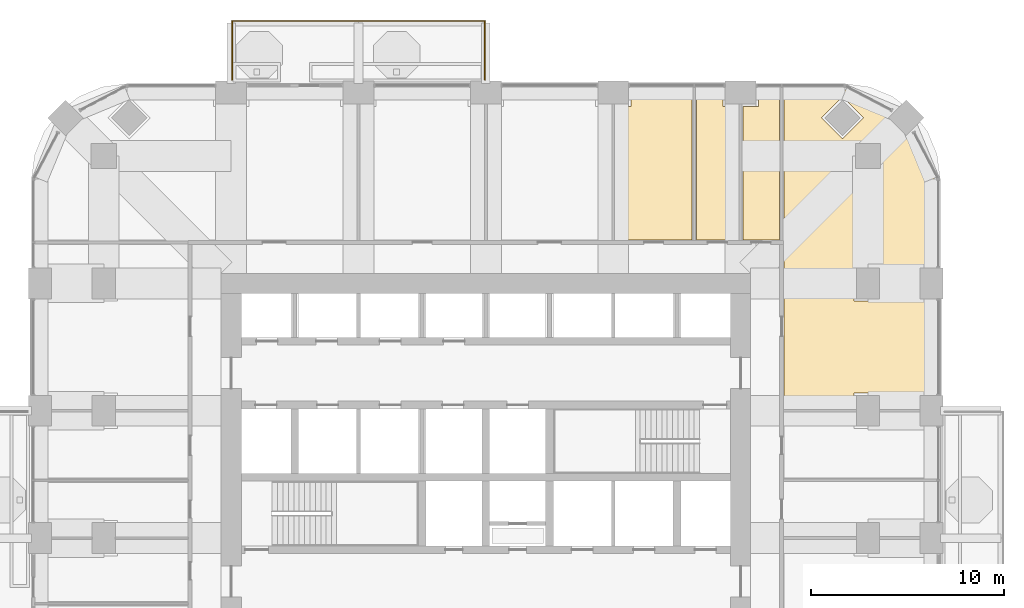
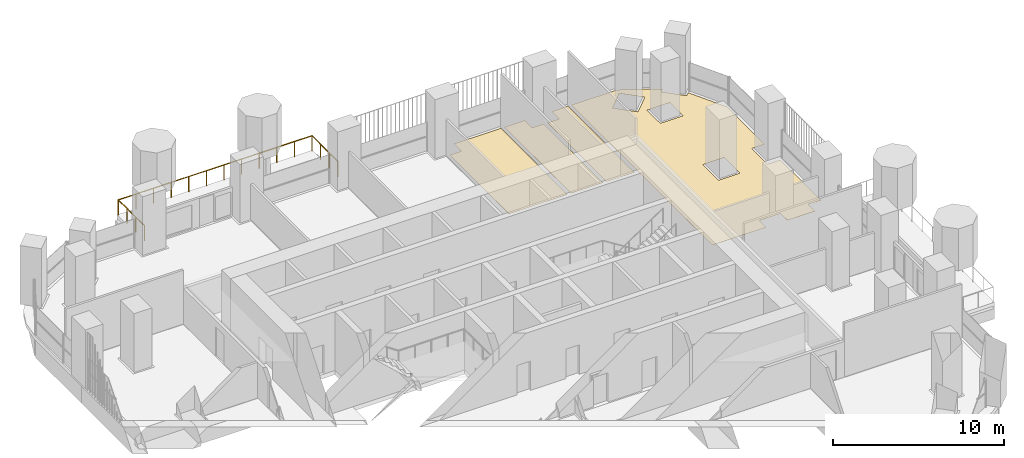
# One storey, part 19 of 20: 4 coverings, 1 railing.
"""IFC4 building model written with IfcOpenShell, lengths in metres."""

from ifc_helpers import new_model, si_unit, direction, frame, origin, place, context, subcontext, project, spatial, polyline, outline, extrude, material, layer, layer_set, type_object, element, save


model = new_model("IFC4")

# Units and contexts
model_context = context("Model", 3, precision=1e-05, world=origin(), true_north=direction((0.0, 1.0)))
body_context = subcontext(model_context, "Body", "Model", "MODEL_VIEW")
ifc_project = project(units=[si_unit("LENGTHUNIT", "METRE"), si_unit("AREAUNIT", "SQUARE_METRE"), si_unit("VOLUMEUNIT", "CUBIC_METRE"), si_unit("PLANEANGLEUNIT", "RADIAN"), si_unit("MASSUNIT", "GRAM", prefix="KILO")], contexts=[model_context])

# Site, building, storey
site_placement = place(None, origin())
site = spatial("IfcSite", under=ifc_project, at=site_placement, CompositionType="ELEMENT")
building_placement = place(site_placement, origin())
building = spatial("IfcBuilding", under=site, at=building_placement, Name="Cobogo Forest Laboratory Tower", CompositionType="ELEMENT")
storey_placement = place(building_placement, frame((0.0, 0.0, 218.699951171875)))
storey = spatial("IfcBuildingStorey", under=building, at=storey_placement, Name="L50", CompositionType="ELEMENT", Elevation=218.699951171875)

# Railing
ifc_material_1 = material(Name="Laminated glass balustrade", Category="glass")
railing_type = type_object("IfcRailingType", Name="BG1 glass balustrade 1100", PredefinedType="GUARDRAIL", material=ifc_material_1)
railing_placement = place(storey_placement, frame((13.25, 43.550048828125, 0.0)))
element("IfcRailing", 1, at=railing_placement, inside=storey, type_object=railing_type, Name="Balcony balustrade BAL-N1 L50", PredefinedType="GUARDRAIL", context=body_context, shape_type="SweptSolid", body=[
    extrude(outline(polyline([(0.022216796875, 0.00927734375), (0.00927734375, 0.022216796875), (-0.00927734375, 0.022216796875), (-0.022216796875, 0.00927734375), (-0.022216796875, -0.00927734375), (-0.00927734375, -0.022216796875), (0.00927734375, -0.022216796875), (0.022216796875, -0.00927734375), (0.022216796875, 0.00927734375)])), frame((0.0, 0.0, 1.077880859375), z_axis=(0.0, 1.0, 0.0), x_axis=(-1.0, 0.0, 0.0)), (0.0, 0.0, 1.0), 3.050048828125),
    extrude(outline(polyline([(0.022216796875, 0.00927734375), (0.00927734375, 0.022216796875), (-0.00927734375, 0.022216796875), (-0.022216796875, 0.00927734375), (-0.022216796875, -0.00927734375), (-0.00927734375, -0.022216796875), (0.00927734375, -0.022216796875), (0.022216796875, -0.00927734375), (0.022216796875, 0.00927734375)])), frame((0.0, 3.050048828125, 1.077880859375), z_axis=(1.0, 0.0, 0.0), x_axis=(0.0, 1.0, 0.0)), (0.0, 0.0, 1.0), 13.10009765625),
    extrude(outline(polyline([(0.022216796875, 0.00927734375), (0.00927734375, 0.022216796875), (-0.00927734375, 0.022216796875), (-0.022216796875, 0.00927734375), (-0.022216796875, -0.00927734375), (-0.00927734375, -0.022216796875), (0.00927734375, -0.022216796875), (0.022216796875, -0.00927734375), (0.022216796875, 0.00927734375)])), frame((13.10009765625, 3.050048828125, 1.077880859375), z_axis=(0.0, -1.0, 0.0), x_axis=(1.0, 0.0, 0.0)), (0.0, 0.0, 1.0), 3.050048828125),
    extrude(outline(polyline([(0.019287109375, 0.008056640625), (0.008056640625, 0.019287109375), (-0.008056640625, 0.019287109375), (-0.019287109375, 0.008056640625), (-0.019287109375, -0.008056640625), (-0.008056640625, -0.019287109375), (0.008056640625, -0.019287109375), (0.019287109375, -0.008056640625), (0.019287109375, 0.008056640625)])), origin(), (0.0, 0.0, 1.0), 1.077880859375),
    extrude(outline(polyline([(0.019287109375, 0.008056640625), (0.008056640625, 0.019287109375), (-0.008056640625, 0.019287109375), (-0.019287109375, 0.008056640625), (-0.019287109375, -0.008056640625), (-0.008056640625, -0.019287109375), (0.008056640625, -0.019287109375), (0.019287109375, -0.008056640625), (0.019287109375, 0.008056640625)])), frame((0.0, 1.0166015625, 0.0)), (0.0, 0.0, 1.0), 1.077880859375),
    extrude(outline(polyline([(0.019287109375, 0.008056640625), (0.008056640625, 0.019287109375), (-0.008056640625, 0.019287109375), (-0.019287109375, 0.008056640625), (-0.019287109375, -0.008056640625), (-0.008056640625, -0.019287109375), (0.008056640625, -0.019287109375), (0.019287109375, -0.008056640625), (0.019287109375, 0.008056640625)])), frame((0.0, 2.033447265625, 0.0)), (0.0, 0.0, 1.0), 1.077880859375),
    extrude(outline(polyline([(0.019287109375, 0.008056640625), (0.008056640625, 0.019287109375), (-0.008056640625, 0.019287109375), (-0.019287109375, 0.008056640625), (-0.019287109375, -0.008056640625), (-0.008056640625, -0.019287109375), (0.008056640625, -0.019287109375), (0.019287109375, -0.008056640625), (0.019287109375, 0.008056640625)])), frame((0.0, 3.050048828125, 0.0)), (0.0, 0.0, 1.0), 1.077880859375),
    extrude(outline(polyline([(0.019287109375, 0.008056640625), (0.008056640625, 0.019287109375), (-0.008056640625, 0.019287109375), (-0.019287109375, 0.008056640625), (-0.019287109375, -0.008056640625), (-0.008056640625, -0.019287109375), (0.008056640625, -0.019287109375), (0.019287109375, -0.008056640625), (0.019287109375, 0.008056640625)])), frame((1.19091796875, 3.050048828125, 0.0)), (0.0, 0.0, 1.0), 1.077880859375),
    extrude(outline(polyline([(0.019287109375, 0.008056640625), (0.008056640625, 0.019287109375), (-0.008056640625, 0.019287109375), (-0.019287109375, 0.008056640625), (-0.019287109375, -0.008056640625), (-0.008056640625, -0.019287109375), (0.008056640625, -0.019287109375), (0.019287109375, -0.008056640625), (0.019287109375, 0.008056640625)])), frame((2.3818359375, 3.050048828125, 0.0)), (0.0, 0.0, 1.0), 1.077880859375),
    extrude(outline(polyline([(0.019287109375, 0.008056640625), (0.008056640625, 0.019287109375), (-0.008056640625, 0.019287109375), (-0.019287109375, 0.008056640625), (-0.019287109375, -0.008056640625), (-0.008056640625, -0.019287109375), (0.008056640625, -0.019287109375), (0.019287109375, -0.008056640625), (0.019287109375, 0.008056640625)])), frame((3.57275390625, 3.050048828125, 0.0)), (0.0, 0.0, 1.0), 1.077880859375),
    extrude(outline(polyline([(0.019287109375, 0.008056640625), (0.008056640625, 0.019287109375), (-0.008056640625, 0.019287109375), (-0.019287109375, 0.008056640625), (-0.019287109375, -0.008056640625), (-0.008056640625, -0.019287109375), (0.008056640625, -0.019287109375), (0.019287109375, -0.008056640625), (0.019287109375, 0.008056640625)])), frame((4.763671875, 3.050048828125, 0.0)), (0.0, 0.0, 1.0), 1.077880859375),
    extrude(outline(polyline([(0.019287109375, 0.008056640625), (0.008056640625, 0.019287109375), (-0.008056640625, 0.019287109375), (-0.019287109375, 0.008056640625), (-0.019287109375, -0.008056640625), (-0.008056640625, -0.019287109375), (0.008056640625, -0.019287109375), (0.019287109375, -0.008056640625), (0.019287109375, 0.008056640625)])), frame((5.95458984375, 3.050048828125, 0.0)), (0.0, 0.0, 1.0), 1.077880859375),
    extrude(outline(polyline([(0.019287109375, 0.008056640625), (0.008056640625, 0.019287109375), (-0.008056640625, 0.019287109375), (-0.019287109375, 0.008056640625), (-0.019287109375, -0.008056640625), (-0.008056640625, -0.019287109375), (0.008056640625, -0.019287109375), (0.019287109375, -0.008056640625), (0.019287109375, 0.008056640625)])), frame((7.1455078125, 3.050048828125, 0.0)), (0.0, 0.0, 1.0), 1.077880859375),
    extrude(outline(polyline([(0.019287109375, 0.008056640625), (0.008056640625, 0.019287109375), (-0.008056640625, 0.019287109375), (-0.019287109375, 0.008056640625), (-0.019287109375, -0.008056640625), (-0.008056640625, -0.019287109375), (0.008056640625, -0.019287109375), (0.019287109375, -0.008056640625), (0.019287109375, 0.008056640625)])), frame((8.33642578125, 3.050048828125, 0.0)), (0.0, 0.0, 1.0), 1.077880859375),
    extrude(outline(polyline([(0.019287109375, 0.008056640625), (0.008056640625, 0.019287109375), (-0.008056640625, 0.019287109375), (-0.019287109375, 0.008056640625), (-0.019287109375, -0.008056640625), (-0.008056640625, -0.019287109375), (0.008056640625, -0.019287109375), (0.019287109375, -0.008056640625), (0.019287109375, 0.008056640625)])), frame((9.52734375, 3.050048828125, 0.0)), (0.0, 0.0, 1.0), 1.077880859375),
    extrude(outline(polyline([(0.019287109375, 0.008056640625), (0.008056640625, 0.019287109375), (-0.008056640625, 0.019287109375), (-0.019287109375, 0.008056640625), (-0.019287109375, -0.008056640625), (-0.008056640625, -0.019287109375), (0.008056640625, -0.019287109375), (0.019287109375, -0.008056640625), (0.019287109375, 0.008056640625)])), frame((10.71826171875, 3.050048828125, 0.0)), (0.0, 0.0, 1.0), 1.077880859375),
    extrude(outline(polyline([(0.019287109375, 0.008056640625), (0.008056640625, 0.019287109375), (-0.008056640625, 0.019287109375), (-0.019287109375, 0.008056640625), (-0.019287109375, -0.008056640625), (-0.008056640625, -0.019287109375), (0.008056640625, -0.019287109375), (0.019287109375, -0.008056640625), (0.019287109375, 0.008056640625)])), frame((11.9091796875, 3.050048828125, 0.0)), (0.0, 0.0, 1.0), 1.077880859375),
    extrude(outline(polyline([(0.019287109375, 0.008056640625), (0.008056640625, 0.019287109375), (-0.008056640625, 0.019287109375), (-0.019287109375, 0.008056640625), (-0.019287109375, -0.008056640625), (-0.008056640625, -0.019287109375), (0.008056640625, -0.019287109375), (0.019287109375, -0.008056640625), (0.019287109375, 0.008056640625)])), frame((13.10009765625, 3.050048828125, 0.0)), (0.0, 0.0, 1.0), 1.077880859375),
    extrude(outline(polyline([(0.019287109375, 0.008056640625), (0.008056640625, 0.019287109375), (-0.008056640625, 0.019287109375), (-0.019287109375, 0.008056640625), (-0.019287109375, -0.008056640625), (-0.008056640625, -0.019287109375), (0.008056640625, -0.019287109375), (0.019287109375, -0.008056640625), (0.019287109375, 0.008056640625)])), frame((13.10009765625, 2.033447265625, 0.0)), (0.0, 0.0, 1.0), 1.077880859375),
    extrude(outline(polyline([(0.019287109375, 0.008056640625), (0.008056640625, 0.019287109375), (-0.008056640625, 0.019287109375), (-0.019287109375, 0.008056640625), (-0.019287109375, -0.008056640625), (-0.008056640625, -0.019287109375), (0.008056640625, -0.019287109375), (0.019287109375, -0.008056640625), (0.019287109375, 0.008056640625)])), frame((13.10009765625, 1.0166015625, 0.0)), (0.0, 0.0, 1.0), 1.077880859375),
    extrude(outline(polyline([(0.019287109375, 0.008056640625), (0.008056640625, 0.019287109375), (-0.008056640625, 0.019287109375), (-0.019287109375, 0.008056640625), (-0.019287109375, -0.008056640625), (-0.008056640625, -0.019287109375), (0.008056640625, -0.019287109375), (0.019287109375, -0.008056640625), (0.019287109375, 0.008056640625)])), frame((13.10009765625, 0.0, 0.0)), (0.0, 0.0, 1.0), 1.077880859375),
])

# Coverings
ifc_material_2 = material(Name="Carpet tile on raised access floor", Category="flooring")
ifc_layer_1 = layer(ifc_material_2, 0.008056640625)
ifc_layer_set_1 = layer_set([ifc_layer_1], Name="CT1 carpet tile floor 8")
covering_type_1 = type_object("IfcCoveringType", Name="CT1 carpet tile floor 8", PredefinedType="FLOORING", material=ifc_layer_set_1)
covering_1_placement = place(storey_placement, origin())
element("IfcCovering", 2, at=covering_1_placement, inside=storey, type_object=covering_type_1, Name="Carpet floor L50-13", PredefinedType="FLOORING", context=body_context, shape_type="SweptSolid", body=[
    extrude(outline(polyline([(33.1201171875, 35.2451171875), (33.1201171875, 42.179931640625), (33.919921875, 42.179931640625), (33.919921875, 43.050048828125), (37.080078125, 43.050048828125), (37.080078125, 35.2451171875), (33.1201171875, 35.2451171875)])), origin(), (0.0, 0.0, 1.0), 0.008056640625),
])
covering_2_placement = place(storey_placement, origin())
element("IfcCovering", 3, at=covering_2_placement, inside=storey, type_object=covering_type_1, Name="Carpet floor L50-15", PredefinedType="FLOORING", context=body_context, shape_type="SweptSolid", body=[
    extrude(outline(polyline([(39.719970703125, 35.2451171875), (39.719970703125, 42.179931640625), (40.52001953125, 42.179931640625), (40.52001953125, 43.050048828125), (41.60498046875, 43.050048828125), (41.60498046875, 35.2451171875), (39.719970703125, 35.2451171875)])), origin(), (0.0, 0.0, 1.0), 0.008056640625),
])
ifc_material_3 = material(Name="Epoxy resin flooring", Category="flooring")
ifc_layer_2 = layer(ifc_material_3, 0.00390625)
ifc_layer_set_2 = layer_set([ifc_layer_2], Name="LF1 epoxy laboratory floor 4")
covering_type_2 = type_object("IfcCoveringType", Name="LF1 epoxy laboratory floor 4", PredefinedType="FLOORING", material=ifc_layer_set_2)
covering_3_placement = place(storey_placement, origin())
element("IfcCovering", 4, at=covering_3_placement, inside=storey, type_object=covering_type_2, Name="Epoxy laboratory floor L50-09", PredefinedType="FLOORING", context=body_context, shape_type="SweptSolid", body=[
    extrude(outline(polyline([(41.844970703125, 43.050048828125), (44.95068359375, 43.050048828125), (47.3193359375, 41.808349609375), (47.093017578125, 41.58203125), (48.181884765625, 40.492919921875), (48.408447265625, 40.719482421875), (49.64990234375, 38.350830078125), (49.64990234375, 33.919921875), (48.780029296875, 33.919921875), (48.780029296875, 32.080078125), (49.64990234375, 32.080078125), (49.64990234375, 27.320068359375), (48.780029296875, 27.320068359375), (48.780029296875, 26.52001953125), (46.919921875, 26.52001953125), (46.919921875, 27.320068359375), (45.47998046875, 27.320068359375), (45.47998046875, 26.52001953125), (41.844970703125, 26.52001953125), (41.844970703125, 43.050048828125)]), holes=[polyline([(45.429931640625, 40.3701171875), (45.429931640625, 38.830078125), (46.969970703125, 38.830078125), (46.969970703125, 40.3701171875), (45.429931640625, 40.3701171875)]), polyline([(46.919921875, 32.080078125), (46.919921875, 33.919921875), (45.47998046875, 33.919921875), (45.47998046875, 32.080078125), (46.919921875, 32.080078125)]), polyline([(44.882080078125, 40.492919921875), (45.970947265625, 41.58203125), (44.882080078125, 42.6708984375), (43.79296875, 41.58203125), (44.882080078125, 40.492919921875)])]), origin(), (0.0, 0.0, 1.0), 0.004150390625),
])
ifc_material_4 = material(Name="Ceramic floor tile", Category="flooring")
ifc_layer_3 = layer(ifc_material_4, 0.010009765625)
ifc_layer_set_3 = layer_set([ifc_layer_3], Name="TF1 ceramic tile floor 10")
covering_type_3 = type_object("IfcCoveringType", Name="TF1 ceramic tile floor 10", PredefinedType="FLOORING", material=ifc_layer_set_3)
covering_4_placement = place(storey_placement, origin())
element("IfcCovering", 5, at=covering_4_placement, inside=storey, type_object=covering_type_3, Name="Tile floor L50-14", PredefinedType="FLOORING", context=body_context, shape_type="SweptSolid", body=[
    extrude(outline(polyline([(37.320068359375, 35.2451171875), (37.320068359375, 43.050048828125), (38.679931640625, 43.050048828125), (38.679931640625, 42.179931640625), (39.47998046875, 42.179931640625), (39.47998046875, 35.2451171875), (37.320068359375, 35.2451171875)])), origin(), (0.0, 0.0, 1.0), 0.010009765625),
])

save(model, "model.ifc")
